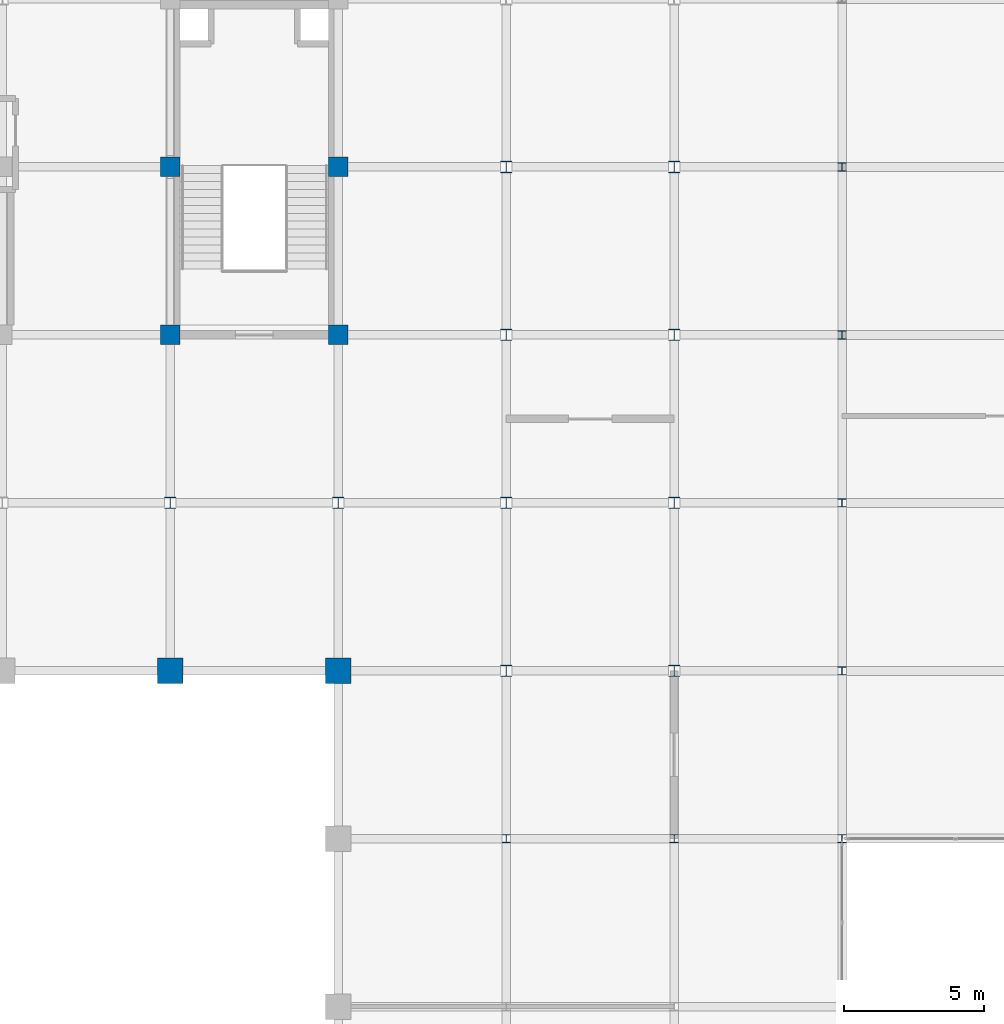
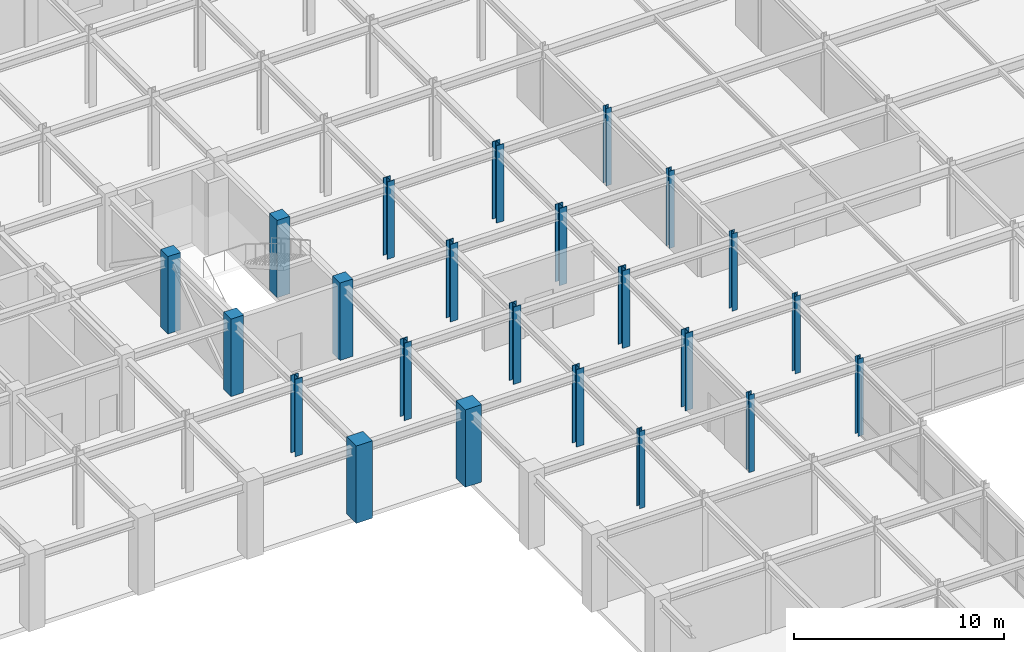
# One storey, part 15 of 108: 23 columns.
"""IFC4 building model written with IfcOpenShell, lengths in metres."""

from ifc_helpers import new_model, si_unit, direction, frame, origin, origin_2d, place, context, subcontext, project, spatial, rectangle, i_section, extrude, material, material_profile, profile_set, type_object, element, save


model = new_model("IFC4")

# Units and contexts
model_context = context("Model", 3, precision=1e-05, world=origin(), true_north=direction((0.0, 1.0)))
body_context = subcontext(model_context, "Body", "Model", "MODEL_VIEW")
ifc_project = project(units=[si_unit("LENGTHUNIT", "METRE"), si_unit("AREAUNIT", "SQUARE_METRE"), si_unit("VOLUMEUNIT", "CUBIC_METRE"), si_unit("PLANEANGLEUNIT", "RADIAN"), si_unit("MASSUNIT", "GRAM", prefix="KILO")], contexts=[model_context])

# Site, building, storey
site_placement = place(None, origin())
site = spatial("IfcSite", under=ifc_project, at=site_placement, CompositionType="ELEMENT")
building_placement = place(site_placement, origin())
building = spatial("IfcBuilding", under=site, at=building_placement, Name="Zlatovratsky Civic Hall", CompositionType="ELEMENT")
storey_placement = place(building_placement, frame((0.0, 0.0, 12.0)))
storey = spatial("IfcBuildingStorey", under=building, at=storey_placement, Name="L03", CompositionType="ELEMENT", Elevation=12.0)

# Columns
ifc_material_1 = material(Name="Concrete C35/45 (B40)", Category="concrete")
ifc_material_profile_1 = material_profile(ifc_material_1, rectangle(XDim=0.89990234375, YDim=0.89990234375, at=origin_2d()), Name="RC 900x900")
ifc_profile_set_1 = profile_set([ifc_material_profile_1], Name="Concrete C35/45 (B40)")
column_type_1 = type_object("IfcColumnType", Name="Col_ChamberPier_RC900", PredefinedType="COLUMN", material=ifc_profile_set_1)
for number, where, z_axis, x_axis, name in (
    (1, (96.0, 72.0, 0.0), (0.0, 0.0, 1.0), (1.0, 0.0, 0.0), "CL-1380"),
    (2, (102.0, 72.0, 0.0), (0.0, 0.0, 1.0), (1.0, 0.0, 0.0), "CL-1381"),
):
    element("IfcColumn", number, at=place(storey_placement, frame(where, z_axis=z_axis, x_axis=x_axis)), inside=storey, type_object=column_type_1, Name=name, PredefinedType="COLUMN", context=body_context, shape_type="SweptSolid", body=[
        extrude(rectangle(XDim=0.89990234375, YDim=0.89990234375, at=origin_2d()), origin(), (0.0, 0.0, 1.0), 4.5),
    ])
ifc_material_profile_2 = material_profile(ifc_material_1, rectangle(XDim=0.699951171875, YDim=0.699951171875, at=origin_2d()), Name="RC 700x700")
ifc_profile_set_2 = profile_set([ifc_material_profile_2], Name="Concrete C35/45 (B40)")
column_type_2 = type_object("IfcColumnType", Name="Col_CorePier_RC700", PredefinedType="COLUMN", material=ifc_profile_set_2)
for number, where, z_axis, x_axis, name in (
    (3, (96.0, 84.0, 0.0), (0.0, 0.0, 1.0), (1.0, 0.0, 0.0), "CL-1426"),
    (4, (102.0, 84.0, 0.0), (0.0, 0.0, 1.0), (1.0, 0.0, 0.0), "CL-1427"),
    (5, (96.0, 90.0, 0.0), (0.0, 0.0, 1.0), (1.0, 0.0, 0.0), "CL-1449"),
    (6, (102.0, 90.0, 0.0), (0.0, 0.0, 1.0), (1.0, 0.0, 0.0), "CL-1450"),
):
    element("IfcColumn", number, at=place(storey_placement, frame(where, z_axis=z_axis, x_axis=x_axis)), inside=storey, type_object=column_type_2, Name=name, PredefinedType="COLUMN", context=body_context, shape_type="SweptSolid", body=[
        extrude(rectangle(XDim=0.699951171875, YDim=0.699951171875, at=origin_2d()), origin(), (0.0, 0.0, 1.0), 4.5),
    ])
ifc_material_2 = material(Name="Steel S355", Category="steel")
ifc_material_profile_3 = material_profile(ifc_material_2, i_section(OverallWidth=0.299072265625, OverallDepth=0.2958984375, WebThickness=0.009033203125, FlangeThickness=0.013916015625, FilletRadius=0.01806640625, at=origin_2d()), Name="30K1")
ifc_profile_set_3 = profile_set([ifc_material_profile_3], Name="Steel S355")
column_type_3 = type_object("IfcColumnType", Name="Col_Steel_30K1", PredefinedType="COLUMN", material=ifc_profile_set_3)
for number, where, z_axis, x_axis, name in (
    (7, (108.0, 66.0, 0.0), (0.0, 0.0, 1.0), (1.0, 0.0, 0.0), "CL-1359"),
    (8, (114.0, 66.0, 0.0), (0.0, 0.0, 1.0), (1.0, 0.0, 0.0), "CL-1360"),
    (9, (120.0, 66.0, 0.0), (0.0, 0.0, 1.0), (1.0, 0.0, 0.0), "CL-1361"),
    (10, (120.0, 72.0, 0.0), (0.0, 0.0, 1.0), (1.0, 0.0, 0.0), "CL-1384"),
    (11, (120.0, 78.0, 0.0), (0.0, 0.0, 1.0), (1.0, 0.0, 0.0), "CL-1407"),
    (12, (120.0, 84.0, 0.0), (0.0, 0.0, 1.0), (1.0, 0.0, 0.0), "CL-1430"),
    (13, (120.0, 90.0, 0.0), (0.0, 0.0, 1.0), (1.0, 0.0, 0.0), "CL-1453"),
):
    element("IfcColumn", number, at=place(storey_placement, frame(where, z_axis=z_axis, x_axis=x_axis)), inside=storey, type_object=column_type_3, Name=name, PredefinedType="COLUMN", context=body_context, shape_type="SweptSolid", body=[
        extrude(i_section(OverallWidth=0.299072265625, OverallDepth=0.2958984375, WebThickness=0.009033203125, FlangeThickness=0.013916015625, FilletRadius=0.01806640625, at=origin_2d()), origin(), (0.0, 0.0, 1.0), 4.5),
    ])
ifc_material_profile_4 = material_profile(ifc_material_2, i_section(OverallWidth=0.405029296875, OverallDepth=0.41796875, WebThickness=0.02001953125, FlangeThickness=0.030029296875, FilletRadius=0.02197265625, at=origin_2d()), Name="40K4")
ifc_profile_set_4 = profile_set([ifc_material_profile_4], Name="Steel S355")
column_type_4 = type_object("IfcColumnType", Name="Col_Steel_40K4", PredefinedType="COLUMN", material=ifc_profile_set_4)
for number, where, z_axis, x_axis, name in (
    (14, (108.0, 72.0, 0.0), (0.0, 0.0, 1.0), (1.0, 0.0, 0.0), "CL-1382"),
    (15, (114.0, 72.0, 0.0), (0.0, 0.0, 1.0), (1.0, 0.0, 0.0), "CL-1383"),
    (16, (96.0, 78.0, 0.0), (0.0, 0.0, 1.0), (1.0, 0.0, 0.0), "CL-1403"),
    (17, (102.0, 78.0, 0.0), (0.0, 0.0, 1.0), (1.0, 0.0, 0.0), "CL-1404"),
    (18, (108.0, 78.0, 0.0), (0.0, 0.0, 1.0), (1.0, 0.0, 0.0), "CL-1405"),
    (19, (114.0, 78.0, 0.0), (0.0, 0.0, 1.0), (1.0, 0.0, 0.0), "CL-1406"),
    (20, (108.0, 84.0, 0.0), (0.0, 0.0, 1.0), (1.0, 0.0, 0.0), "CL-1428"),
    (21, (114.0, 84.0, 0.0), (0.0, 0.0, 1.0), (1.0, 0.0, 0.0), "CL-1429"),
    (22, (108.0, 90.0, 0.0), (0.0, 0.0, 1.0), (1.0, 0.0, 0.0), "CL-1451"),
    (23, (114.0, 90.0, 0.0), (0.0, 0.0, 1.0), (1.0, 0.0, 0.0), "CL-1452"),
):
    element("IfcColumn", number, at=place(storey_placement, frame(where, z_axis=z_axis, x_axis=x_axis)), inside=storey, type_object=column_type_4, Name=name, PredefinedType="COLUMN", context=body_context, shape_type="SweptSolid", body=[
        extrude(i_section(OverallWidth=0.405029296875, OverallDepth=0.41796875, WebThickness=0.02001953125, FlangeThickness=0.030029296875, FilletRadius=0.02197265625, at=origin_2d()), origin(), (0.0, 0.0, 1.0), 4.5),
    ])

save(model, "model.ifc")
